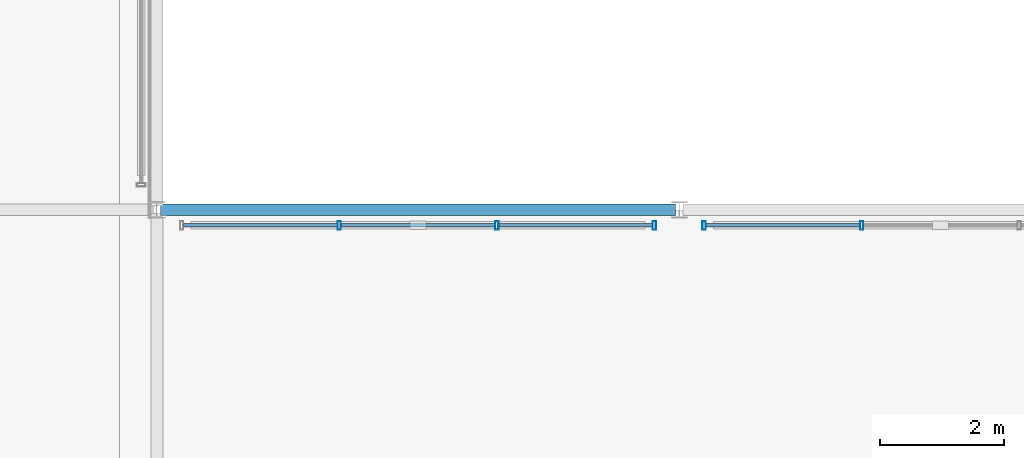
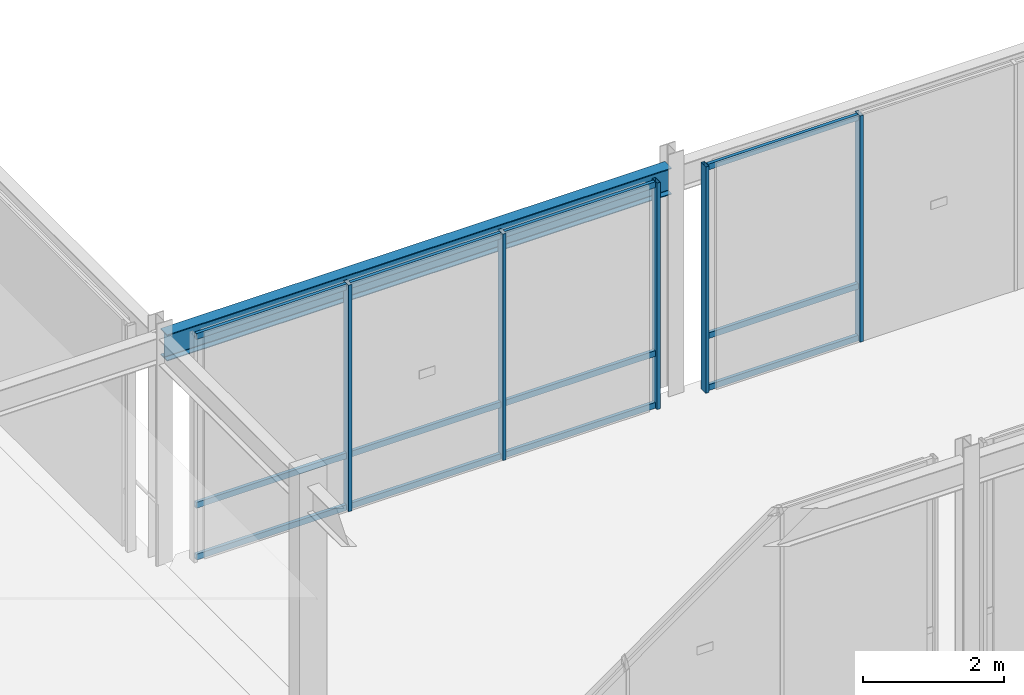
# One storey, part 43 of 152: 17 members, 1 beam, 2 elements without a shape of their own.
"""IFC4 building model written with IfcOpenShell, lengths in metres."""

from ifc_helpers import new_model, si_unit, direction, frame, origin, origin_2d, place, context, subcontext, project, spatial, hollow_rectangle, i_section, extrude, material, material_profile, profile_set, type_object, element, aggregate, save


model = new_model("IFC4")

# Units and contexts
model_context = context("Model", 3, precision=1e-05, world=origin(), true_north=direction((0.0, 1.0)))
body_context = subcontext(model_context, "Body", "Model", "MODEL_VIEW")
ifc_project = project(units=[si_unit("LENGTHUNIT", "METRE"), si_unit("AREAUNIT", "SQUARE_METRE"), si_unit("VOLUMEUNIT", "CUBIC_METRE"), si_unit("PLANEANGLEUNIT", "RADIAN"), si_unit("MASSUNIT", "GRAM", prefix="KILO"), si_unit("THERMODYNAMICTEMPERATUREUNIT", "KELVIN"), si_unit("POWERUNIT", "WATT")], contexts=[model_context])

# Site, building, storey
site_placement = place(None, origin())
site = spatial("IfcSite", under=ifc_project, at=site_placement, CompositionType="ELEMENT")
building_placement = place(site_placement, origin())
building = spatial("IfcBuilding", under=site, at=building_placement, Name="Darbajah Civic Hall", CompositionType="ELEMENT")
storey_placement = place(building_placement, frame((0.0, 0.0, 5.39990234375)))
storey = spatial("IfcBuildingStorey", under=building, at=storey_placement, Name="L01", CompositionType="ELEMENT", Elevation=5.39990234375)

# Curtain wall, members
ifc_material_1 = material(Name="Anodised Bronze Aluminium and Low-E Glazing", Category="aluminium")
curtain_wall_type = type_object("IfcCurtainWallType", Name="Unitised Curtain Wall CW-103 7600x3950", PredefinedType="USERDEFINED", material=ifc_material_1)
curtain_wall_1_placement = place(storey_placement, origin())
curtain_wall_1 = element("IfcCurtainWall", 1, at=curtain_wall_1_placement, inside=storey, type_object=curtain_wall_type, Name="L01 unitised curtain wall CW-V6-SE-N-L01", ObjectType="UNITISED CURTAIN WALL", PredefinedType="USERDEFINED")
ifc_material_2 = material(Name="Anodised Bronze Aluminium", Category="aluminium")
ifc_material_profile_1 = material_profile(ifc_material_2, hollow_rectangle(XDim=0.054931640625, YDim=0.139892578125, WallThickness=0.003173828125, at=origin_2d()), Name="ALU MULLION 55x140")
ifc_profile_set_1 = profile_set([ifc_material_profile_1], Name="Anodised Bronze Aluminium")
member_type_1 = type_object("IfcMemberType", Name="ALU MULLION 55x140", PredefinedType="MULLION", material=ifc_profile_set_1)
member_1_placement = place(storey_placement, frame((97.13330078125, 41.75, 0.0), z_axis=(0.0, 0.0, 1.0), x_axis=(1.0, 0.0, 0.0)))
member_1 = element("IfcMember", 2, at=member_1_placement, type_object=member_type_1, Name="CW-V6-SE-N-L01 mullion 2", PredefinedType="MULLION", context=body_context, shape_type="SweptSolid", body=[
    extrude(hollow_rectangle(XDim=0.054931640625, YDim=0.139892578125, WallThickness=0.003173828125, at=origin_2d()), origin(), (0.0, 0.0, 1.0), 3.93017578125),
])
member_2_placement = place(storey_placement, frame((99.666748046875, 41.75, 0.0), z_axis=(0.0, 0.0, 1.0), x_axis=(1.0, 0.0, 0.0)))
member_2 = element("IfcMember", 3, at=member_2_placement, type_object=member_type_1, Name="CW-V6-SE-N-L01 mullion 3", PredefinedType="MULLION", context=body_context, shape_type="SweptSolid", body=[
    extrude(hollow_rectangle(XDim=0.054931640625, YDim=0.139892578125, WallThickness=0.003173828125, at=origin_2d()), origin(), (0.0, 0.0, 1.0), 3.93017578125),
])
member_3_placement = place(storey_placement, frame((102.199951171875, 41.75, 0.0), z_axis=(0.0, 0.0, 1.0), x_axis=(1.0, 0.0, 0.0)))
member_3 = element("IfcMember", 4, at=member_3_placement, type_object=member_type_1, Name="CW-V6-SE-N-L01 mullion 4", PredefinedType="MULLION", context=body_context, shape_type="SweptSolid", body=[
    extrude(hollow_rectangle(XDim=0.054931640625, YDim=0.139892578125, WallThickness=0.003173828125, at=origin_2d()), origin(), (0.0, 0.0, 1.0), 3.93017578125),
])

curtain_wall_2_placement = place(storey_placement, origin())
curtain_wall_2 = element("IfcCurtainWall", 5, at=curtain_wall_2_placement, inside=storey, type_object=curtain_wall_type, Name="L01 unitised curtain wall CW-V6-SE-N2-L01", ObjectType="UNITISED CURTAIN WALL", PredefinedType="USERDEFINED")
member_4_placement = place(storey_placement, frame((103.0, 41.75, 0.0), z_axis=(0.0, 0.0, 1.0), x_axis=(1.0, 0.0, 0.0)))
member_4 = element("IfcMember", 6, at=member_4_placement, type_object=member_type_1, Name="CW-V6-SE-N2-L01 mullion 1", PredefinedType="MULLION", context=body_context, shape_type="SweptSolid", body=[
    extrude(hollow_rectangle(XDim=0.054931640625, YDim=0.139892578125, WallThickness=0.003173828125, at=origin_2d()), origin(), (0.0, 0.0, 1.0), 3.93017578125),
])
member_5_placement = place(storey_placement, frame((105.533203125, 41.75, 0.0), z_axis=(0.0, 0.0, 1.0), x_axis=(1.0, 0.0, 0.0)))
member_5 = element("IfcMember", 7, at=member_5_placement, type_object=member_type_1, Name="CW-V6-SE-N2-L01 mullion 2", PredefinedType="MULLION", context=body_context, shape_type="SweptSolid", body=[
    extrude(hollow_rectangle(XDim=0.054931640625, YDim=0.139892578125, WallThickness=0.003173828125, at=origin_2d()), origin(), (0.0, 0.0, 1.0), 3.93017578125),
])

# Member
ifc_material_profile_2 = material_profile(ifc_material_2, hollow_rectangle(XDim=0.054931640625, YDim=0.10009765625, WallThickness=0.0029296875, at=origin_2d()), Name="ALU TRANSOM 55x100")
ifc_profile_set_2 = profile_set([ifc_material_profile_2], Name="Anodised Bronze Aluminium")
member_type_2 = type_object("IfcMemberType", Name="ALU TRANSOM 55x100", PredefinedType="USERDEFINED", material=ifc_profile_set_2)
member_6_placement = place(storey_placement, frame((94.632568359375, 41.75, 0.050048828125), z_axis=(1.0, 0.0, 0.0), x_axis=(0.0, 1.0, 0.0)))
member_6 = element("IfcMember", 8, at=member_6_placement, type_object=member_type_2, Name="CW-V6-SE-N-L01 transom 1.1", ObjectType="TRANSOM", PredefinedType="USERDEFINED", context=body_context, shape_type="SweptSolid", body=[
    extrude(hollow_rectangle(XDim=0.054931640625, YDim=0.10009765625, WallThickness=0.0029296875, at=origin_2d()), origin(), (0.0, 0.0, 1.0), 2.46826171875),
])

member_7_placement = place(storey_placement, frame((94.632568359375, 41.75, 0.9501953125), z_axis=(1.0, 0.0, 0.0), x_axis=(0.0, 1.0, 0.0)))
member_7 = element("IfcMember", 9, at=member_7_placement, type_object=member_type_2, Name="CW-V6-SE-N-L01 transom 1.2", ObjectType="TRANSOM", PredefinedType="USERDEFINED", context=body_context, shape_type="SweptSolid", body=[
    extrude(hollow_rectangle(XDim=0.054931640625, YDim=0.10009765625, WallThickness=0.0029296875, at=origin_2d()), origin(), (0.0, 0.0, 1.0), 2.46826171875),
])

member_8_placement = place(storey_placement, frame((94.632568359375, 41.75, 3.880126953125), z_axis=(1.0, 0.0, 0.0), x_axis=(0.0, 1.0, 0.0)))
member_8 = element("IfcMember", 10, at=member_8_placement, type_object=member_type_2, Name="CW-V6-SE-N-L01 transom 1.3", ObjectType="TRANSOM", PredefinedType="USERDEFINED", context=body_context, shape_type="SweptSolid", body=[
    extrude(hollow_rectangle(XDim=0.054931640625, YDim=0.10009765625, WallThickness=0.0029296875, at=origin_2d()), origin(), (0.0, 0.0, 1.0), 2.46826171875),
])

member_9_placement = place(storey_placement, frame((97.165771484375, 41.75, 0.050048828125), z_axis=(1.0, 0.0, 0.0), x_axis=(0.0, 1.0, 0.0)))
member_9 = element("IfcMember", 11, at=member_9_placement, type_object=member_type_2, Name="CW-V6-SE-N-L01 transom 2.1", ObjectType="TRANSOM", PredefinedType="USERDEFINED", context=body_context, shape_type="SweptSolid", body=[
    extrude(hollow_rectangle(XDim=0.054931640625, YDim=0.10009765625, WallThickness=0.0029296875, at=origin_2d()), origin(), (0.0, 0.0, 1.0), 2.468505859375),
])

member_10_placement = place(storey_placement, frame((97.165771484375, 41.75, 0.9501953125), z_axis=(1.0, 0.0, 0.0), x_axis=(0.0, 1.0, 0.0)))
member_10 = element("IfcMember", 12, at=member_10_placement, type_object=member_type_2, Name="CW-V6-SE-N-L01 transom 2.2", ObjectType="TRANSOM", PredefinedType="USERDEFINED", context=body_context, shape_type="SweptSolid", body=[
    extrude(hollow_rectangle(XDim=0.054931640625, YDim=0.10009765625, WallThickness=0.0029296875, at=origin_2d()), origin(), (0.0, 0.0, 1.0), 2.468505859375),
])

member_11_placement = place(storey_placement, frame((97.165771484375, 41.75, 3.880126953125), z_axis=(1.0, 0.0, 0.0), x_axis=(0.0, 1.0, 0.0)))
member_11 = element("IfcMember", 13, at=member_11_placement, type_object=member_type_2, Name="CW-V6-SE-N-L01 transom 2.3", ObjectType="TRANSOM", PredefinedType="USERDEFINED", context=body_context, shape_type="SweptSolid", body=[
    extrude(hollow_rectangle(XDim=0.054931640625, YDim=0.10009765625, WallThickness=0.0029296875, at=origin_2d()), origin(), (0.0, 0.0, 1.0), 2.468505859375),
])

member_12_placement = place(storey_placement, frame((99.69921875, 41.75, 0.050048828125), z_axis=(1.0, 0.0, 0.0), x_axis=(0.0, 1.0, 0.0)))
member_12 = element("IfcMember", 14, at=member_12_placement, type_object=member_type_2, Name="CW-V6-SE-N-L01 transom 3.1", ObjectType="TRANSOM", PredefinedType="USERDEFINED", context=body_context, shape_type="SweptSolid", body=[
    extrude(hollow_rectangle(XDim=0.054931640625, YDim=0.10009765625, WallThickness=0.0029296875, at=origin_2d()), origin(), (0.0, 0.0, 1.0), 2.46826171875),
])

member_13_placement = place(storey_placement, frame((99.69921875, 41.75, 0.9501953125), z_axis=(1.0, 0.0, 0.0), x_axis=(0.0, 1.0, 0.0)))
member_13 = element("IfcMember", 15, at=member_13_placement, type_object=member_type_2, Name="CW-V6-SE-N-L01 transom 3.2", ObjectType="TRANSOM", PredefinedType="USERDEFINED", context=body_context, shape_type="SweptSolid", body=[
    extrude(hollow_rectangle(XDim=0.054931640625, YDim=0.10009765625, WallThickness=0.0029296875, at=origin_2d()), origin(), (0.0, 0.0, 1.0), 2.46826171875),
])

member_14_placement = place(storey_placement, frame((99.69921875, 41.75, 3.880126953125), z_axis=(1.0, 0.0, 0.0), x_axis=(0.0, 1.0, 0.0)))
member_14 = element("IfcMember", 16, at=member_14_placement, type_object=member_type_2, Name="CW-V6-SE-N-L01 transom 3.3", ObjectType="TRANSOM", PredefinedType="USERDEFINED", context=body_context, shape_type="SweptSolid", body=[
    extrude(hollow_rectangle(XDim=0.054931640625, YDim=0.10009765625, WallThickness=0.0029296875, at=origin_2d()), origin(), (0.0, 0.0, 1.0), 2.46826171875),
])

aggregate(curtain_wall_1, [member_1, member_2, member_3, member_6, member_7, member_8, member_9, member_10, member_11, member_12, member_13, member_14])

member_15_placement = place(storey_placement, frame((103.032470703125, 41.75, 0.050048828125), z_axis=(1.0, 0.0, 0.0), x_axis=(0.0, 1.0, 0.0)))
member_15 = element("IfcMember", 17, at=member_15_placement, type_object=member_type_2, Name="CW-V6-SE-N2-L01 transom 1.1", ObjectType="TRANSOM", PredefinedType="USERDEFINED", context=body_context, shape_type="SweptSolid", body=[
    extrude(hollow_rectangle(XDim=0.054931640625, YDim=0.10009765625, WallThickness=0.0029296875, at=origin_2d()), origin(), (0.0, 0.0, 1.0), 2.46826171875),
])

member_16_placement = place(storey_placement, frame((103.032470703125, 41.75, 0.9501953125), z_axis=(1.0, 0.0, 0.0), x_axis=(0.0, 1.0, 0.0)))
member_16 = element("IfcMember", 18, at=member_16_placement, type_object=member_type_2, Name="CW-V6-SE-N2-L01 transom 1.2", ObjectType="TRANSOM", PredefinedType="USERDEFINED", context=body_context, shape_type="SweptSolid", body=[
    extrude(hollow_rectangle(XDim=0.054931640625, YDim=0.10009765625, WallThickness=0.0029296875, at=origin_2d()), origin(), (0.0, 0.0, 1.0), 2.46826171875),
])

member_17_placement = place(storey_placement, frame((103.032470703125, 41.75, 3.880126953125), z_axis=(1.0, 0.0, 0.0), x_axis=(0.0, 1.0, 0.0)))
member_17 = element("IfcMember", 19, at=member_17_placement, type_object=member_type_2, Name="CW-V6-SE-N2-L01 transom 1.3", ObjectType="TRANSOM", PredefinedType="USERDEFINED", context=body_context, shape_type="SweptSolid", body=[
    extrude(hollow_rectangle(XDim=0.054931640625, YDim=0.10009765625, WallThickness=0.0029296875, at=origin_2d()), origin(), (0.0, 0.0, 1.0), 2.46826171875),
])

aggregate(curtain_wall_2, [member_4, member_5, member_15, member_16, member_17])

# Beam
ifc_material_3 = material(Name="Steel S355JR", Category="steel")
ifc_material_profile_3 = material_profile(ifc_material_3, i_section(OverallWidth=0.1904296875, OverallDepth=0.45703125, WebThickness=0.009033203125, FlangeThickness=0.014404296875, FilletRadius=0.01025390625, at=origin_2d()), Name="UB 457x191x74")
ifc_profile_set_3 = profile_set([ifc_material_profile_3], Name="Steel S355JR")
beam_type = type_object("IfcBeamType", Name="UB 457x191x74", PredefinedType="BEAM", material=ifc_profile_set_3)
beam_placement = place(storey_placement, frame((94.260009765625, 42.0, 3.70166015625), z_axis=(1.0, 0.0, 0.0), x_axis=(0.0, 1.0, 0.0)))
element("IfcBeam", 20, at=beam_placement, inside=storey, type_object=beam_type, Name="L01 beam SB-457", PredefinedType="BEAM", context=body_context, shape_type="SweptSolid", body=[
    extrude(i_section(OverallWidth=0.1904296875, OverallDepth=0.45703125, WebThickness=0.009033203125, FlangeThickness=0.014404296875, FilletRadius=0.01025390625, at=origin_2d()), origin(), (0.0, 0.0, 1.0), 8.280029296875),
])

save(model, "model.ifc")
